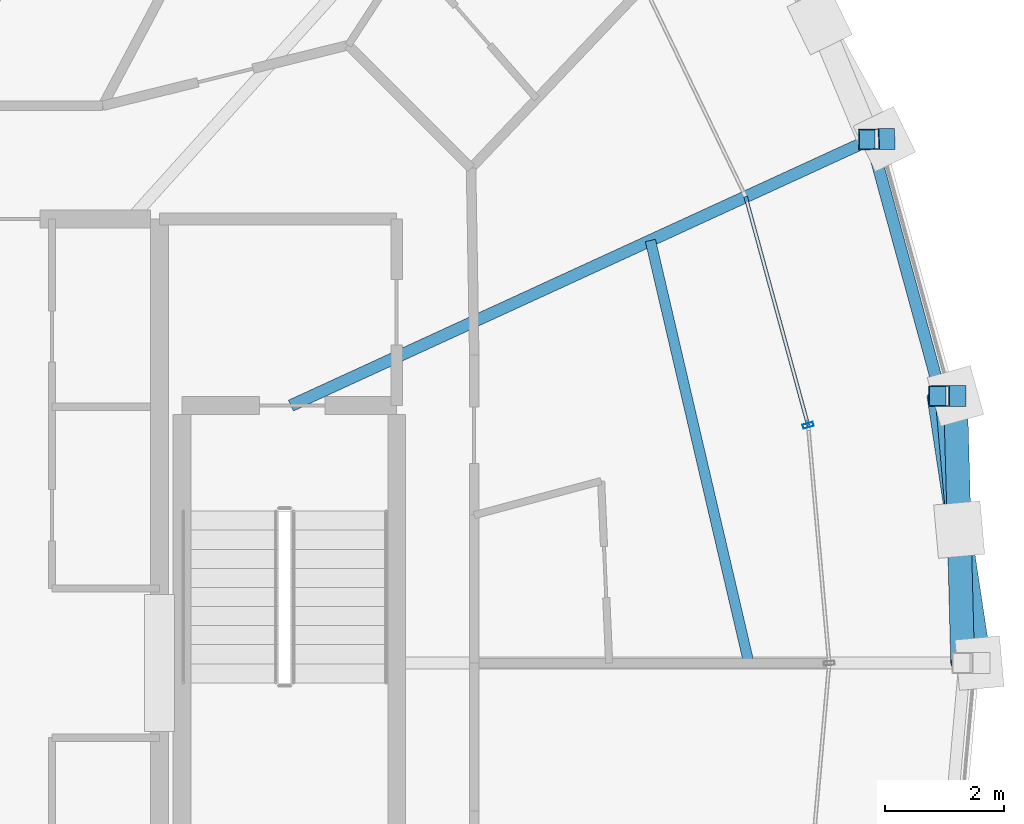
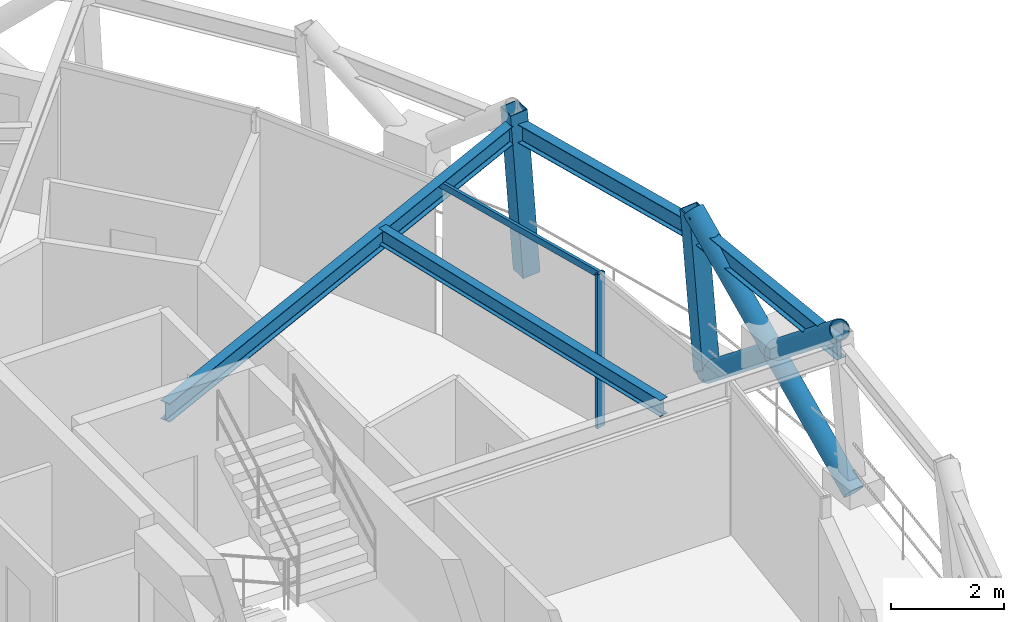
# One storey, part 6 of 15: 7 members, 4 beams, 1 element without a shape of its own.
"""IFC4 building model written with IfcOpenShell, lengths in metres."""

from ifc_helpers import new_model, si_unit, direction, frame, origin, origin_2d, place, context, subcontext, project, spatial, hollow_rectangle, hollow_circle, i_section, extrude, material, layer, layer_set, material_profile, profile_set, type_object, element, aggregate, save


model = new_model("IFC4")

# Units and contexts
model_context = context("Model", 3, precision=1e-05, world=origin(), true_north=direction((0.0, 1.0)))
body_context = subcontext(model_context, "Body", "Model", "MODEL_VIEW")
ifc_project = project(units=[si_unit("LENGTHUNIT", "METRE"), si_unit("AREAUNIT", "SQUARE_METRE"), si_unit("VOLUMEUNIT", "CUBIC_METRE"), si_unit("PLANEANGLEUNIT", "RADIAN"), si_unit("MASSUNIT", "GRAM", prefix="KILO")], contexts=[model_context])

# Site, building, storey
site_placement = place(None, origin())
site = spatial("IfcSite", under=ifc_project, at=site_placement, CompositionType="ELEMENT")
building_placement = place(site_placement, origin())
building = spatial("IfcBuilding", under=site, at=building_placement, Name="Veldorina Hangang Commons", CompositionType="ELEMENT")
storey_placement = place(building_placement, frame((0.0, 0.0, 276.0)))
storey = spatial("IfcBuildingStorey", under=building, at=storey_placement, Name="L72", CompositionType="ELEMENT", Elevation=276.0)

# Beams
ifc_material_1 = material(Name="Steel SM355-TMC", Category="steel")
ifc_material_profile_1 = material_profile(ifc_material_1, i_section(OverallWidth=0.199951171875, OverallDepth=0.39990234375, WebThickness=0.008056640625, FlangeThickness=0.012939453125, FilletRadius=0.012939453125, at=origin_2d()), Name="H-400x200x8x13")
ifc_profile_set_1 = profile_set([ifc_material_profile_1], Name="Steel SM355-TMC")
beam_type_1 = type_object("IfcBeamType", Name="BM-FG400", PredefinedType="BEAM", material=ifc_profile_set_1)
beam_1_placement = place(storey_placement, frame((41.4052734375, 28.320068359375, 3.159912109375), z_axis=(0.90873296966, 0.417377993972, 0.0), x_axis=(-0.417377993972, 0.90873296966, 0.0)))
element("IfcBeam", 1, at=beam_1_placement, inside=storey, type_object=beam_type_1, Name="L72 radial floor girder 02", PredefinedType="BEAM", context=body_context, shape_type="SweptSolid", body=[
    extrude(i_section(OverallWidth=0.199951171875, OverallDepth=0.39990234375, WebThickness=0.008056640625, FlangeThickness=0.012939453125, FilletRadius=0.012939453125, at=origin_2d()), origin(), (0.0, 0.0, 1.0), 10.70263671875),
])
ifc_material_profile_2 = material_profile(ifc_material_1, i_section(OverallWidth=0.175048828125, OverallDepth=0.35009765625, WebThickness=0.007080078125, FlangeThickness=0.010986328125, FilletRadius=0.012939453125, at=origin_2d()), Name="H-350x175x7x11")
ifc_profile_set_2 = profile_set([ifc_material_profile_2], Name="Steel SM355-TMC")
beam_type_2 = type_object("IfcBeamType", Name="BM-JST350", PredefinedType="JOIST", material=ifc_profile_set_2)
beam_2_placement = place(storey_placement, frame((49.0869140625, 24.0, 3.18505859375), z_axis=(-0.226887149592, 0.973921054989, 0.0), x_axis=(-0.973921054989, -0.226887149592, 0.0)))
element("IfcBeam", 2, at=beam_2_placement, inside=storey, type_object=beam_type_2, Name="L72 secondary floor joist 01", PredefinedType="JOIST", context=body_context, shape_type="SweptSolid", body=[
    extrude(i_section(OverallWidth=0.175048828125, OverallDepth=0.35009765625, WebThickness=0.007080078125, FlangeThickness=0.010986328125, FilletRadius=0.012939453125, at=origin_2d()), origin(), (0.0, 0.0, 1.0), 7.279541015625),
])
ifc_material_profile_3 = material_profile(ifc_material_1, i_section(OverallWidth=0.199951171875, OverallDepth=0.39990234375, WebThickness=0.008056640625, FlangeThickness=0.012939453125, FilletRadius=0.012939453125, at=origin_2d()), Name="H-400x200x8x13")
ifc_profile_set_3 = profile_set([ifc_material_profile_3], Name="Steel SM355-TMC")
beam_type_3 = type_object("IfcBeamType", Name="BM-RB400", PredefinedType="BEAM", material=ifc_profile_set_3)
beam_3_placement = place(storey_placement, frame((52.707275390625, 24.0, 3.159912109375), z_axis=(-0.088484733714, 0.996077533076, 0.0), x_axis=(-0.996077533076, -0.088484733714, 0.0)))
element("IfcBeam", 3, at=beam_3_placement, inside=storey, type_object=beam_type_3, Name="L72 perimeter hoop ring beam 00", PredefinedType="BEAM", context=body_context, shape_type="SweptSolid", body=[
    extrude(i_section(OverallWidth=0.199951171875, OverallDepth=0.39990234375, WebThickness=0.008056640625, FlangeThickness=0.012939453125, FilletRadius=0.012939453125, at=origin_2d()), origin(), (0.0, 0.0, 1.0), 4.497314453125),
])
beam_4_placement = place(storey_placement, frame((52.309326171875, 28.479736328125, 3.159912109375), z_axis=(-0.263843618219, 0.96456546959, 0.0), x_axis=(-0.96456546959, -0.263843618219, 0.0)))
element("IfcBeam", 4, at=beam_4_placement, inside=storey, type_object=beam_type_3, Name="L72 perimeter hoop ring beam 01", PredefinedType="BEAM", context=body_context, shape_type="SweptSolid", body=[
    extrude(i_section(OverallWidth=0.199951171875, OverallDepth=0.39990234375, WebThickness=0.008056640625, FlangeThickness=0.012939453125, FilletRadius=0.012939453125, at=origin_2d()), origin(), (0.0, 0.0, 1.0), 4.465576171875),
])

# Curtain wall, members
ifc_material_2 = material(Name="Glass Low-E Selective", Category="glass")
ifc_layer = layer(ifc_material_2, 0.179931640625)
ifc_layer_set = layer_set([ifc_layer], Name="Glass Low-E Selective")
curtain_wall_type = type_object("IfcCurtainWallType", Name="CW-SYS-Z3", PredefinedType="NOTDEFINED", material=ifc_layer_set)
curtain_wall_placement = place(storey_placement, origin())
curtain_wall = element("IfcCurtainWall", 5, at=curtain_wall_placement, inside=storey, type_object=curtain_wall_type, Name="L72 unitised curtain wall CW-L72-R2", PredefinedType="NOTDEFINED")
ifc_material_3 = material(Name="Aluminium Anodized AA6063-T6", Category="aluminium")
ifc_material_profile_4 = material_profile(ifc_material_3, hollow_rectangle(XDim=0.070068359375, YDim=0.179931640625, WallThickness=0.00390625, at=origin_2d()), Name="ALU-RHS-180x70x4")
ifc_profile_set_4 = profile_set([ifc_material_profile_4], Name="Aluminium Anodized AA6063-T6")
member_type_1 = type_object("IfcMemberType", Name="CW-MUL-180", PredefinedType="MULLION", material=ifc_profile_set_4)
member_1_placement = place(storey_placement, frame((50.080810546875, 27.989990234375, 0.0), z_axis=(0.0, 0.0, 1.0), x_axis=(-0.263755205077, 0.964589649434, 0.0)))
member_1 = element("IfcMember", 6, at=member_1_placement, type_object=member_type_1, Name="CW-L72-R2 vertical mullion 3", PredefinedType="MULLION", context=body_context, shape_type="SweptSolid", body=[
    extrude(hollow_rectangle(XDim=0.070068359375, YDim=0.179931640625, WallThickness=0.00390625, at=origin_2d()), origin(), (0.0, 0.0, 1.0), 3.320068359375),
])
ifc_material_profile_5 = material_profile(ifc_material_3, hollow_rectangle(XDim=0.06005859375, YDim=0.139892578125, WallThickness=0.00341796875, at=origin_2d()), Name="ALU-RHS-140x60x3.5")
ifc_profile_set_5 = profile_set([ifc_material_profile_5], Name="Aluminium Anodized AA6063-T6")
member_type_2 = type_object("IfcMemberType", Name="CW-TRN-140", PredefinedType="USERDEFINED", material=ifc_profile_set_5)
member_2_placement = place(storey_placement, frame((50.080810546875, 27.989990234375, 3.280029296875), z_axis=(-0.263792473337, 0.964579458112, 0.0), x_axis=(-0.964579458112, -0.263792473337, 0.0)))
member_2 = element("IfcMember", 7, at=member_2_placement, type_object=member_type_2, Name="CW-L72-R2 facet 3 transom 1", ObjectType="TRANSOM", PredefinedType="USERDEFINED", context=body_context, shape_type="SweptSolid", body=[
    extrude(hollow_rectangle(XDim=0.06005859375, YDim=0.139892578125, WallThickness=0.00341796875, at=origin_2d()), origin(), (0.0, 0.0, 1.0), 3.977783203125),
])
aggregate(curtain_wall, [member_1, member_2])

# Members
ifc_material_profile_6 = material_profile(ifc_material_1, hollow_circle(Radius=0.199951171875, WallThickness=0.02001953125, at=origin_2d()), Name="CHS-400x20")
ifc_profile_set_6 = profile_set([ifc_material_profile_6], Name="Steel SM355-TMC")
member_type_3 = type_object("IfcMemberType", Name="DG-CHS400", PredefinedType="BRACE", material=ifc_profile_set_6)
member_3_placement = place(storey_placement, frame((52.954833984375, 24.0, 0.0), z_axis=(-0.117410618971, 0.774074752742, 0.622111745364), x_axis=(-0.98869154785, -0.149963406239, 0.0)))
element("IfcMember", 8, at=member_3_placement, inside=storey, type_object=member_type_3, Name="L72 continuous perimeter diagrid brace 00", PredefinedType="BRACE", context=body_context, shape_type="SweptSolid", body=[
    extrude(hollow_circle(Radius=0.199951171875, WallThickness=0.02001953125, at=origin_2d()), origin(), (0.0, 0.0, 1.0), 5.786865234375),
])
member_4_placement = place(storey_placement, frame((52.55224609375, 28.481689453125, 0.0), z_axis=(0.021819730369, -0.779397372719, 0.626149850088), x_axis=(0.999608352197, 0.02798467827, 0.0)))
element("IfcMember", 9, at=member_4_placement, inside=storey, type_object=member_type_3, Name="L72 split perimeter diagrid lower brace 01", PredefinedType="BRACE", context=body_context, shape_type="SweptSolid", body=[
    extrude(hollow_circle(Radius=0.199951171875, WallThickness=0.02001953125, at=origin_2d()), origin(), (0.0, 0.0, 1.0), 2.87548828125),
])
member_5_placement = place(storey_placement, frame((52.614990234375, 26.240478515625, 1.800537109375), z_axis=(0.020045785443, -0.779492258524, 0.626091036022), x_axis=(0.999669495634, 0.025707965672, 0.0)))
element("IfcMember", 10, at=member_5_placement, inside=storey, type_object=member_type_3, Name="L72 split perimeter diagrid upper brace 01", PredefinedType="BRACE", context=body_context, shape_type="SweptSolid", body=[
    extrude(hollow_circle(Radius=0.199951171875, WallThickness=0.02001953125, at=origin_2d()), origin(), (0.0, 0.0, 1.0), 2.874267578125),
])
ifc_material_profile_7 = material_profile(ifc_material_1, hollow_rectangle(XDim=0.35009765625, YDim=0.35009765625, WallThickness=0.01611328125, at=origin_2d()), Name="SHS-350x350x16")
ifc_profile_set_7 = profile_set([ifc_material_profile_7], Name="Steel SM355-TMC")
member_type_4 = type_object("IfcMemberType", Name="STR-SHS350", PredefinedType="STRUT", material=ifc_profile_set_7)
member_6_placement = place(storey_placement, frame((52.55224609375, 28.481689453125, 0.0), z_axis=(-0.076675802326, -0.000608538114, 0.997055891622), x_axis=(0.007936257995, -0.999968507409, 0.0)))
element("IfcMember", 11, at=member_6_placement, inside=storey, type_object=member_type_4, Name="L72 perimeter ring node post 01", PredefinedType="STRUT", context=body_context, shape_type="SweptSolid", body=[
    extrude(hollow_rectangle(XDim=0.35009765625, YDim=0.35009765625, WallThickness=0.01611328125, at=origin_2d()), origin(), (0.0, 0.0, 1.0), 3.61083984375),
])
member_7_placement = place(storey_placement, frame((51.35986328125, 32.791259765625, 0.0), z_axis=(-0.072237145634, -0.001285117759, 0.99738665685), x_axis=(0.01778744759, -0.999841790839, 0.0)))
element("IfcMember", 12, at=member_7_placement, inside=storey, type_object=member_type_4, Name="L72 perimeter ring node post 02", PredefinedType="STRUT", context=body_context, shape_type="SweptSolid", body=[
    extrude(hollow_rectangle(XDim=0.35009765625, YDim=0.35009765625, WallThickness=0.01611328125, at=origin_2d()), origin(), (0.0, 0.0, 1.0), 3.609619140625),
])

save(model, "model.ifc")
